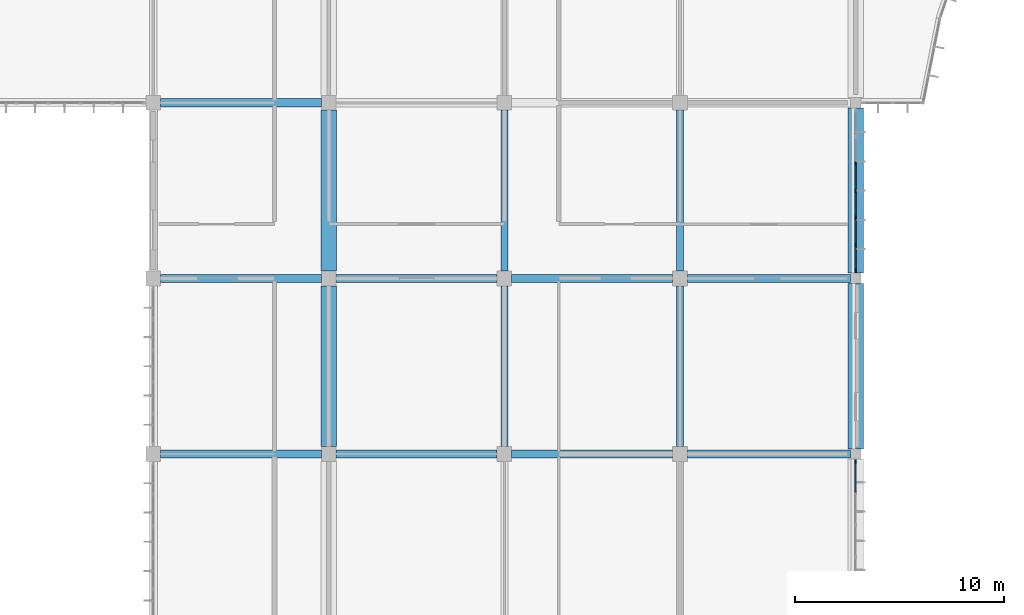
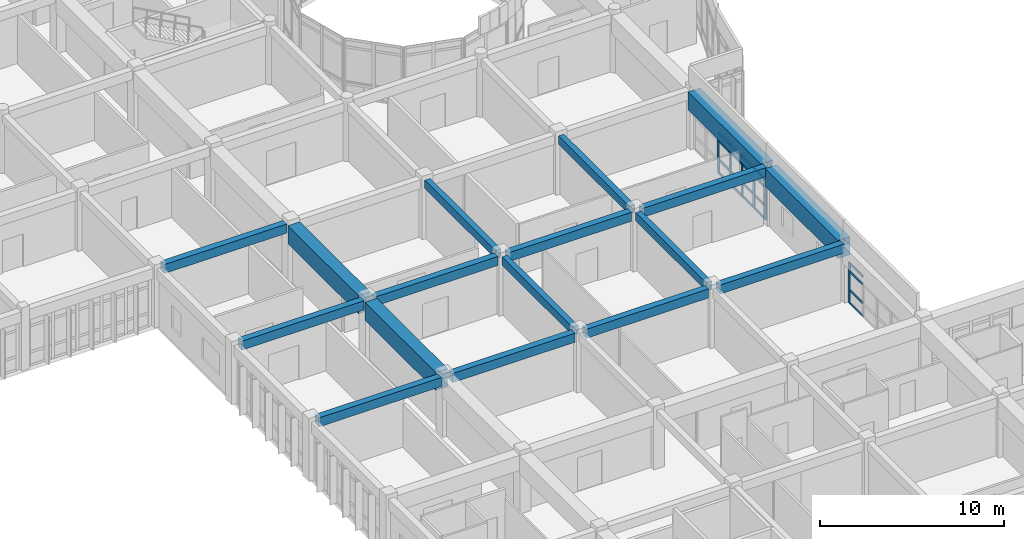
# One storey, part 13 of 119: 26 members, 17 beams, 2 elements without a shape of their own.
"""IFC4 building model written with IfcOpenShell, lengths in metres."""

from ifc_helpers import new_model, si_unit, direction, frame, origin, origin_2d, place, context, subcontext, project, spatial, rectangle, extrude, material, layer, layer_set, material_profile, profile_set, type_object, element, aggregate, save


model = new_model("IFC4")

# Units and contexts
model_context = context("Model", 3, precision=1e-05, world=origin(), true_north=direction((0.0, 1.0)))
body_context = subcontext(model_context, "Body", "Model", "MODEL_VIEW")
ifc_project = project(units=[si_unit("LENGTHUNIT", "METRE"), si_unit("AREAUNIT", "SQUARE_METRE"), si_unit("VOLUMEUNIT", "CUBIC_METRE"), si_unit("PLANEANGLEUNIT", "RADIAN"), si_unit("MASSUNIT", "GRAM", prefix="KILO")], contexts=[model_context])

# Site, building, storey
site_placement = place(None, origin())
site = spatial("IfcSite", under=ifc_project, at=site_placement, CompositionType="ELEMENT")
building_placement = place(site_placement, origin())
building = spatial("IfcBuilding", under=site, at=building_placement, Name="Bramfleet General Hospital", CompositionType="ELEMENT")
storey_placement = place(building_placement, frame((0.0, 0.0, 14.39990234375)))
storey = spatial("IfcBuildingStorey", under=building, at=storey_placement, Name="L03", CompositionType="ELEMENT", Elevation=14.39990234375)

# Beams
ifc_material_1 = material(Name="Concrete C35/45", Category="concrete")
ifc_material_profile_1 = material_profile(ifc_material_1, rectangle(XDim=0.35009765625, YDim=0.550048828125, at=origin_2d()), Name="RC BM 550x350")
ifc_profile_set_1 = profile_set([ifc_material_profile_1], Name="Concrete C35/45")
beam_type_1 = type_object("IfcBeamType", Name="BM-RC550", PredefinedType="BEAM", material=ifc_profile_set_1)
for number, where, z_axis, x_axis, name in (
    (1, (109.199951171875, 33.949951171875, 3.625), (0.0, 1.0, 0.0), (-1.0, 0.0, 0.0), "L03 Grid Beam Y 13-04"),
    (2, (109.199951171875, 42.35009765625, 3.625), (0.0, 1.0, 0.0), (-1.0, 0.0, 0.0), "L03 Grid Beam Y 13-05"),
    (3, (117.60009765625, 33.949951171875, 3.625), (0.0, 1.0, 0.0), (-1.0, 0.0, 0.0), "L03 Grid Beam Y 14-04"),
    (4, (117.60009765625, 42.35009765625, 3.625), (0.0, 1.0, 0.0), (-1.0, 0.0, 0.0), "L03 Grid Beam Y 14-05"),
):
    element("IfcBeam", number, at=place(storey_placement, frame(where, z_axis=z_axis, x_axis=x_axis)), inside=storey, type_object=beam_type_1, Name=name, PredefinedType="BEAM", context=body_context, shape_type="SweptSolid", body=[
        extrude(rectangle(XDim=0.35009765625, YDim=0.550048828125, at=origin_2d()), origin(), (0.0, 0.0, 1.0), 7.699951171875),
    ])
ifc_material_profile_2 = material_profile(ifc_material_1, rectangle(XDim=0.39990234375, YDim=0.60009765625, at=origin_2d()), Name="RC BM 600x400")
ifc_profile_set_2 = profile_set([ifc_material_profile_2], Name="Concrete C35/45")
beam_type_2 = type_object("IfcBeamType", Name="BM-RC600", PredefinedType="BEAM", material=ifc_profile_set_2)
for number, where, z_axis, x_axis, name in (
    (5, (92.75, 33.60009765625, 3.60009765625), (1.0, 0.0, 0.0), (0.0, 1.0, 0.0), "L03 Grid Beam X 11-04"),
    (6, (92.75, 42.0, 3.60009765625), (1.0, 0.0, 0.0), (0.0, 1.0, 0.0), "L03 Grid Beam X 11-05"),
    (7, (92.75, 50.39990234375, 3.60009765625), (1.0, 0.0, 0.0), (0.0, 1.0, 0.0), "L03 Grid Beam X 11-06"),
):
    element("IfcBeam", number, at=place(storey_placement, frame(where, z_axis=z_axis, x_axis=x_axis)), inside=storey, type_object=beam_type_2, Name=name, PredefinedType="BEAM", context=body_context, shape_type="SweptSolid", body=[
        extrude(rectangle(XDim=0.39990234375, YDim=0.60009765625, at=origin_2d()), origin(), (0.0, 0.0, 1.0), 7.699951171875),
    ])
for number, where, z_axis, x_axis, name in (
    (8, (101.14990234375, 33.60009765625, 3.60009765625), (1.0, 0.0, 0.0), (0.0, 1.0, 0.0), "L03 Grid Beam X 12-04"),
    (9, (101.14990234375, 42.0, 3.60009765625), (1.0, 0.0, 0.0), (0.0, 1.0, 0.0), "L03 Grid Beam X 12-05"),
):
    element("IfcBeam", number, at=place(storey_placement, frame(where, z_axis=z_axis, x_axis=x_axis)), inside=storey, type_object=beam_type_2, Name=name, PredefinedType="BEAM", context=body_context, shape_type="SweptSolid", body=[
        extrude(rectangle(XDim=0.39990234375, YDim=0.60009765625, at=origin_2d()), origin(), (0.0, 0.0, 1.0), 7.7001953125),
    ])
for number, where, z_axis, x_axis, name in (
    (10, (109.550048828125, 33.60009765625, 3.60009765625), (1.0, 0.0, 0.0), (0.0, 1.0, 0.0), "L03 Grid Beam X 13-04"),
    (11, (109.550048828125, 42.0, 3.60009765625), (1.0, 0.0, 0.0), (0.0, 1.0, 0.0), "L03 Grid Beam X 13-05"),
):
    element("IfcBeam", number, at=place(storey_placement, frame(where, z_axis=z_axis, x_axis=x_axis)), inside=storey, type_object=beam_type_2, Name=name, PredefinedType="BEAM", context=body_context, shape_type="SweptSolid", body=[
        extrude(rectangle(XDim=0.39990234375, YDim=0.60009765625, at=origin_2d()), origin(), (0.0, 0.0, 1.0), 7.699951171875),
    ])
for number, where, z_axis, x_axis, name in (
    (12, (117.949951171875, 33.60009765625, 3.60009765625), (1.0, 0.0, 0.0), (0.0, 1.0, 0.0), "L03 Grid Beam X 14-04"),
    (13, (117.949951171875, 42.0, 3.60009765625), (1.0, 0.0, 0.0), (0.0, 1.0, 0.0), "L03 Grid Beam X 14-05"),
):
    element("IfcBeam", number, at=place(storey_placement, frame(where, z_axis=z_axis, x_axis=x_axis)), inside=storey, type_object=beam_type_2, Name=name, PredefinedType="BEAM", context=body_context, shape_type="SweptSolid", body=[
        extrude(rectangle(XDim=0.39990234375, YDim=0.60009765625, at=origin_2d()), origin(), (0.0, 0.0, 1.0), 7.800048828125),
    ])
ifc_material_2 = material(Name="Concrete C40/50", Category="concrete")
ifc_material_profile_3 = material_profile(ifc_material_2, rectangle(XDim=0.75, YDim=1.199951171875, at=origin_2d()), Name="RC TG 1200x750")
ifc_profile_set_3 = profile_set([ifc_material_profile_3], Name="Concrete C40/50")
beam_type_3 = type_object("IfcBeamType", Name="BM-TG1200", PredefinedType="BEAM", material=ifc_profile_set_3)
for number, where, z_axis, x_axis, name in (
    (14, (100.800048828125, 33.949951171875, 3.300048828125), (0.0, 1.0, 0.0), (-1.0, 0.0, 0.0), "L03 Transfer Girder Y 12-04"),
    (15, (100.800048828125, 42.35009765625, 3.300048828125), (0.0, 1.0, 0.0), (-1.0, 0.0, 0.0), "L03 Transfer Girder Y 12-05"),
):
    element("IfcBeam", number, at=place(storey_placement, frame(where, z_axis=z_axis, x_axis=x_axis)), inside=storey, type_object=beam_type_3, Name=name, PredefinedType="BEAM", context=body_context, shape_type="SweptSolid", body=[
        extrude(rectangle(XDim=0.75, YDim=1.199951171875, at=origin_2d()), origin(), (0.0, 0.0, 1.0), 7.699951171875),
    ])
for number, where, z_axis, x_axis, name in (
    (16, (126.0, 33.85009765625, 3.300048828125), (0.0, 1.0, 0.0), (-1.0, 0.0, 0.0), "L03 Transfer Girder Y 15-04"),
    (17, (126.0, 42.25, 3.300048828125), (0.0, 1.0, 0.0), (-1.0, 0.0, 0.0), "L03 Transfer Girder Y 15-05"),
):
    element("IfcBeam", number, at=place(storey_placement, frame(where, z_axis=z_axis, x_axis=x_axis)), inside=storey, type_object=beam_type_3, Name=name, PredefinedType="BEAM", context=body_context, shape_type="SweptSolid", body=[
        extrude(rectangle(XDim=0.75, YDim=1.199951171875, at=origin_2d()), origin(), (0.0, 0.0, 1.0), 7.89990234375),
    ])

# Curtain wall, members
ifc_material_3 = material(Name="Anodised aluminium and low-E triple glazing", Category="aluminium")
ifc_layer_1 = layer(ifc_material_3, 0.179931640625, Name="CWT-CW-18")
ifc_layer_set_1 = layer_set([ifc_layer_1], Name="Anodised aluminium and low-E triple glazing")
curtain_wall_type_1 = type_object("IfcCurtainWallType", Name="CWT-CW-18", PredefinedType="USERDEFINED", material=ifc_layer_set_1)
curtain_wall_1_placement = place(storey_placement, origin())
curtain_wall_1 = element("IfcCurtainWall", 18, at=curtain_wall_1_placement, inside=storey, type_object=curtain_wall_type_1, Name="L03 Curtain Wall 162", ObjectType="Stick curtain wall", PredefinedType="USERDEFINED")
ifc_material_4 = material(Name="Structural timber GL28h", Category="wood")
ifc_material_profile_4 = material_profile(ifc_material_4, rectangle(XDim=0.070068359375, YDim=0.18994140625, at=origin_2d()), Name="LARCH 190x70")
ifc_profile_set_4 = profile_set([ifc_material_profile_4], Name="Structural timber GL28h")
member_type_1 = type_object("IfcMemberType", Name="CWM-LARCH450", PredefinedType="MULLION", material=ifc_profile_set_4)
member_1_placement = place(storey_placement, frame((126.0, 47.49169921875, 0.0), z_axis=(0.0, 0.0, 1.0), x_axis=(1.0, 0.0, 0.0)))
member_1 = element("IfcMember", 19, at=member_1_placement, type_object=member_type_1, Name="CW-18 mullion 3", PredefinedType="MULLION", context=body_context, shape_type="SweptSolid", body=[
    extrude(rectangle(XDim=0.070068359375, YDim=0.18994140625, at=origin_2d()), origin(), (0.0, 0.0, 1.0), 2.690185546875),
])
member_2_placement = place(storey_placement, frame((126.0, 46.199951171875, 0.0), z_axis=(0.0, 0.0, 1.0), x_axis=(1.0, 0.0, 0.0)))
member_2 = element("IfcMember", 20, at=member_2_placement, type_object=member_type_1, Name="CW-18 mullion 4", PredefinedType="MULLION", context=body_context, shape_type="SweptSolid", body=[
    extrude(rectangle(XDim=0.070068359375, YDim=0.18994140625, at=origin_2d()), origin(), (0.0, 0.0, 1.0), 2.690185546875),
])
member_3_placement = place(storey_placement, frame((126.0, 44.908447265625, 0.0), z_axis=(0.0, 0.0, 1.0), x_axis=(1.0, 0.0, 0.0)))
member_3 = element("IfcMember", 21, at=member_3_placement, type_object=member_type_1, Name="CW-18 mullion 5", PredefinedType="MULLION", context=body_context, shape_type="SweptSolid", body=[
    extrude(rectangle(XDim=0.070068359375, YDim=0.18994140625, at=origin_2d()), origin(), (0.0, 0.0, 1.0), 2.690185546875),
])
member_4_placement = place(storey_placement, frame((126.0, 43.61669921875, 0.0), z_axis=(0.0, 0.0, 1.0), x_axis=(1.0, 0.0, 0.0)))
member_4 = element("IfcMember", 22, at=member_4_placement, type_object=member_type_1, Name="CW-18 mullion 6", PredefinedType="MULLION", context=body_context, shape_type="SweptSolid", body=[
    extrude(rectangle(XDim=0.070068359375, YDim=0.18994140625, at=origin_2d()), origin(), (0.0, 0.0, 1.0), 2.690185546875),
])
member_5_placement = place(storey_placement, frame((126.0, 42.360107421875, 0.0), z_axis=(0.0, 0.0, 1.0), x_axis=(1.0, 0.0, 0.0)))
member_5 = element("IfcMember", 23, at=member_5_placement, type_object=member_type_1, Name="CW-18 mullion 7", PredefinedType="MULLION", context=body_context, shape_type="SweptSolid", body=[
    extrude(rectangle(XDim=0.070068359375, YDim=0.18994140625, at=origin_2d()), origin(), (0.0, 0.0, 1.0), 2.690185546875),
])

# Curtain wall, member
ifc_layer_2 = layer(ifc_material_3, 0.179931640625, Name="CWT-CW-01")
ifc_layer_set_2 = layer_set([ifc_layer_2], Name="Anodised aluminium and low-E triple glazing")
curtain_wall_type_2 = type_object("IfcCurtainWallType", Name="CWT-CW-01", PredefinedType="USERDEFINED", material=ifc_layer_set_2)
curtain_wall_2_placement = place(storey_placement, origin())
curtain_wall_2 = element("IfcCurtainWall", 24, at=curtain_wall_2_placement, inside=storey, type_object=curtain_wall_type_2, Name="L03 Curtain Wall 163", ObjectType="Unitised curtain wall", PredefinedType="USERDEFINED")
member_6_placement = place(storey_placement, frame((126.0, 33.239990234375, 0.0), z_axis=(0.0, 0.0, 1.0), x_axis=(1.0, 0.0, 0.0)))
member_6 = element("IfcMember", 25, at=member_6_placement, type_object=member_type_1, Name="CW-01 mullion 1", PredefinedType="MULLION", context=body_context, shape_type="SweptSolid", body=[
    extrude(rectangle(XDim=0.070068359375, YDim=0.18994140625, at=origin_2d()), origin(), (0.0, 0.0, 1.0), 2.690185546875),
])

# Member
ifc_material_profile_5 = material_profile(ifc_material_4, rectangle(XDim=0.06494140625, YDim=0.14990234375, at=origin_2d()), Name="LARCH 150x65")
ifc_profile_set_5 = profile_set([ifc_material_profile_5], Name="Structural timber GL28h")
member_type_2 = type_object("IfcMemberType", Name="CWT-LARCH220", PredefinedType="USERDEFINED", material=ifc_profile_set_5)
member_7_placement = place(storey_placement, frame((126.0, 47.456787109375, 0.03271484375), z_axis=(0.0, -1.0, 0.0), x_axis=(1.0, 0.0, 0.0)))
member_7 = element("IfcMember", 26, at=member_7_placement, type_object=member_type_2, Name="CW-18 transom 3.1", ObjectType="TRANSOM", PredefinedType="USERDEFINED", context=body_context, shape_type="SweptSolid", body=[
    extrude(rectangle(XDim=0.06494140625, YDim=0.14990234375, at=origin_2d()), origin(), (0.0, 0.0, 1.0), 1.2216796875),
])

member_8_placement = place(storey_placement, frame((126.0, 47.456787109375, 0.900146484375), z_axis=(0.0, -1.0, 0.0), x_axis=(1.0, 0.0, 0.0)))
member_8 = element("IfcMember", 27, at=member_8_placement, type_object=member_type_2, Name="CW-18 transom 3.2", ObjectType="TRANSOM", PredefinedType="USERDEFINED", context=body_context, shape_type="SweptSolid", body=[
    extrude(rectangle(XDim=0.06494140625, YDim=0.14990234375, at=origin_2d()), origin(), (0.0, 0.0, 1.0), 1.2216796875),
])

member_9_placement = place(storey_placement, frame((126.0, 47.456787109375, 2.14013671875), z_axis=(0.0, -1.0, 0.0), x_axis=(1.0, 0.0, 0.0)))
member_9 = element("IfcMember", 28, at=member_9_placement, type_object=member_type_2, Name="CW-18 transom 3.3", ObjectType="TRANSOM", PredefinedType="USERDEFINED", context=body_context, shape_type="SweptSolid", body=[
    extrude(rectangle(XDim=0.06494140625, YDim=0.14990234375, at=origin_2d()), origin(), (0.0, 0.0, 1.0), 1.2216796875),
])

member_10_placement = place(storey_placement, frame((126.0, 47.456787109375, 2.65771484375), z_axis=(0.0, -1.0, 0.0), x_axis=(1.0, 0.0, 0.0)))
member_10 = element("IfcMember", 29, at=member_10_placement, type_object=member_type_2, Name="CW-18 transom 3.4", ObjectType="TRANSOM", PredefinedType="USERDEFINED", context=body_context, shape_type="SweptSolid", body=[
    extrude(rectangle(XDim=0.06494140625, YDim=0.14990234375, at=origin_2d()), origin(), (0.0, 0.0, 1.0), 1.2216796875),
])

member_11_placement = place(storey_placement, frame((126.0, 46.1650390625, 0.03271484375), z_axis=(0.0, -1.0, 0.0), x_axis=(1.0, 0.0, 0.0)))
member_11 = element("IfcMember", 30, at=member_11_placement, type_object=member_type_2, Name="CW-18 transom 4.1", ObjectType="TRANSOM", PredefinedType="USERDEFINED", context=body_context, shape_type="SweptSolid", body=[
    extrude(rectangle(XDim=0.06494140625, YDim=0.14990234375, at=origin_2d()), origin(), (0.0, 0.0, 1.0), 1.2216796875),
])

member_12_placement = place(storey_placement, frame((126.0, 46.1650390625, 0.900146484375), z_axis=(0.0, -1.0, 0.0), x_axis=(1.0, 0.0, 0.0)))
member_12 = element("IfcMember", 31, at=member_12_placement, type_object=member_type_2, Name="CW-18 transom 4.2", ObjectType="TRANSOM", PredefinedType="USERDEFINED", context=body_context, shape_type="SweptSolid", body=[
    extrude(rectangle(XDim=0.06494140625, YDim=0.14990234375, at=origin_2d()), origin(), (0.0, 0.0, 1.0), 1.2216796875),
])

member_13_placement = place(storey_placement, frame((126.0, 46.1650390625, 2.14013671875), z_axis=(0.0, -1.0, 0.0), x_axis=(1.0, 0.0, 0.0)))
member_13 = element("IfcMember", 32, at=member_13_placement, type_object=member_type_2, Name="CW-18 transom 4.3", ObjectType="TRANSOM", PredefinedType="USERDEFINED", context=body_context, shape_type="SweptSolid", body=[
    extrude(rectangle(XDim=0.06494140625, YDim=0.14990234375, at=origin_2d()), origin(), (0.0, 0.0, 1.0), 1.2216796875),
])

member_14_placement = place(storey_placement, frame((126.0, 46.1650390625, 2.65771484375), z_axis=(0.0, -1.0, 0.0), x_axis=(1.0, 0.0, 0.0)))
member_14 = element("IfcMember", 33, at=member_14_placement, type_object=member_type_2, Name="CW-18 transom 4.4", ObjectType="TRANSOM", PredefinedType="USERDEFINED", context=body_context, shape_type="SweptSolid", body=[
    extrude(rectangle(XDim=0.06494140625, YDim=0.14990234375, at=origin_2d()), origin(), (0.0, 0.0, 1.0), 1.2216796875),
])

member_15_placement = place(storey_placement, frame((126.0, 44.873291015625, 0.03271484375), z_axis=(0.0, -1.0, 0.0), x_axis=(1.0, 0.0, 0.0)))
member_15 = element("IfcMember", 34, at=member_15_placement, type_object=member_type_2, Name="CW-18 transom 5.1", ObjectType="TRANSOM", PredefinedType="USERDEFINED", context=body_context, shape_type="SweptSolid", body=[
    extrude(rectangle(XDim=0.06494140625, YDim=0.14990234375, at=origin_2d()), origin(), (0.0, 0.0, 1.0), 1.2216796875),
])

member_16_placement = place(storey_placement, frame((126.0, 44.873291015625, 0.900146484375), z_axis=(0.0, -1.0, 0.0), x_axis=(1.0, 0.0, 0.0)))
member_16 = element("IfcMember", 35, at=member_16_placement, type_object=member_type_2, Name="CW-18 transom 5.2", ObjectType="TRANSOM", PredefinedType="USERDEFINED", context=body_context, shape_type="SweptSolid", body=[
    extrude(rectangle(XDim=0.06494140625, YDim=0.14990234375, at=origin_2d()), origin(), (0.0, 0.0, 1.0), 1.2216796875),
])

member_17_placement = place(storey_placement, frame((126.0, 44.873291015625, 2.14013671875), z_axis=(0.0, -1.0, 0.0), x_axis=(1.0, 0.0, 0.0)))
member_17 = element("IfcMember", 36, at=member_17_placement, type_object=member_type_2, Name="CW-18 transom 5.3", ObjectType="TRANSOM", PredefinedType="USERDEFINED", context=body_context, shape_type="SweptSolid", body=[
    extrude(rectangle(XDim=0.06494140625, YDim=0.14990234375, at=origin_2d()), origin(), (0.0, 0.0, 1.0), 1.2216796875),
])

member_18_placement = place(storey_placement, frame((126.0, 44.873291015625, 2.65771484375), z_axis=(0.0, -1.0, 0.0), x_axis=(1.0, 0.0, 0.0)))
member_18 = element("IfcMember", 37, at=member_18_placement, type_object=member_type_2, Name="CW-18 transom 5.4", ObjectType="TRANSOM", PredefinedType="USERDEFINED", context=body_context, shape_type="SweptSolid", body=[
    extrude(rectangle(XDim=0.06494140625, YDim=0.14990234375, at=origin_2d()), origin(), (0.0, 0.0, 1.0), 1.2216796875),
])

member_19_placement = place(storey_placement, frame((126.0, 43.581787109375, 0.03271484375), z_axis=(0.0, -1.0, 0.0), x_axis=(1.0, 0.0, 0.0)))
member_19 = element("IfcMember", 38, at=member_19_placement, type_object=member_type_2, Name="CW-18 transom 6.1", ObjectType="TRANSOM", PredefinedType="USERDEFINED", context=body_context, shape_type="SweptSolid", body=[
    extrude(rectangle(XDim=0.06494140625, YDim=0.14990234375, at=origin_2d()), origin(), (0.0, 0.0, 1.0), 1.186767578125),
])

member_20_placement = place(storey_placement, frame((126.0, 43.581787109375, 0.900146484375), z_axis=(0.0, -1.0, 0.0), x_axis=(1.0, 0.0, 0.0)))
member_20 = element("IfcMember", 39, at=member_20_placement, type_object=member_type_2, Name="CW-18 transom 6.2", ObjectType="TRANSOM", PredefinedType="USERDEFINED", context=body_context, shape_type="SweptSolid", body=[
    extrude(rectangle(XDim=0.06494140625, YDim=0.14990234375, at=origin_2d()), origin(), (0.0, 0.0, 1.0), 1.186767578125),
])

member_21_placement = place(storey_placement, frame((126.0, 43.581787109375, 2.14013671875), z_axis=(0.0, -1.0, 0.0), x_axis=(1.0, 0.0, 0.0)))
member_21 = element("IfcMember", 40, at=member_21_placement, type_object=member_type_2, Name="CW-18 transom 6.3", ObjectType="TRANSOM", PredefinedType="USERDEFINED", context=body_context, shape_type="SweptSolid", body=[
    extrude(rectangle(XDim=0.06494140625, YDim=0.14990234375, at=origin_2d()), origin(), (0.0, 0.0, 1.0), 1.186767578125),
])

member_22_placement = place(storey_placement, frame((126.0, 43.581787109375, 2.65771484375), z_axis=(0.0, -1.0, 0.0), x_axis=(1.0, 0.0, 0.0)))
member_22 = element("IfcMember", 41, at=member_22_placement, type_object=member_type_2, Name="CW-18 transom 6.4", ObjectType="TRANSOM", PredefinedType="USERDEFINED", context=body_context, shape_type="SweptSolid", body=[
    extrude(rectangle(XDim=0.06494140625, YDim=0.14990234375, at=origin_2d()), origin(), (0.0, 0.0, 1.0), 1.186767578125),
])

aggregate(curtain_wall_1, [member_1, member_2, member_3, member_4, member_5, member_7, member_8, member_9, member_10, member_11, member_12, member_13, member_14, member_15, member_16, member_17, member_18, member_19, member_20, member_21, member_22])

member_23_placement = place(storey_placement, frame((126.0, 33.205078125, 0.03271484375), z_axis=(0.0, -1.0, 0.0), x_axis=(1.0, 0.0, 0.0)))
member_23 = element("IfcMember", 42, at=member_23_placement, type_object=member_type_2, Name="CW-01 transom 1.1", ObjectType="TRANSOM", PredefinedType="USERDEFINED", context=body_context, shape_type="SweptSolid", body=[
    extrude(rectangle(XDim=0.06494140625, YDim=0.14990234375, at=origin_2d()), origin(), (0.0, 0.0, 1.0), 1.425048828125),
])

member_24_placement = place(storey_placement, frame((126.0, 33.205078125, 0.900146484375), z_axis=(0.0, -1.0, 0.0), x_axis=(1.0, 0.0, 0.0)))
member_24 = element("IfcMember", 43, at=member_24_placement, type_object=member_type_2, Name="CW-01 transom 1.2", ObjectType="TRANSOM", PredefinedType="USERDEFINED", context=body_context, shape_type="SweptSolid", body=[
    extrude(rectangle(XDim=0.06494140625, YDim=0.14990234375, at=origin_2d()), origin(), (0.0, 0.0, 1.0), 1.425048828125),
])

member_25_placement = place(storey_placement, frame((126.0, 33.205078125, 2.14013671875), z_axis=(0.0, -1.0, 0.0), x_axis=(1.0, 0.0, 0.0)))
member_25 = element("IfcMember", 44, at=member_25_placement, type_object=member_type_2, Name="CW-01 transom 1.3", ObjectType="TRANSOM", PredefinedType="USERDEFINED", context=body_context, shape_type="SweptSolid", body=[
    extrude(rectangle(XDim=0.06494140625, YDim=0.14990234375, at=origin_2d()), origin(), (0.0, 0.0, 1.0), 1.425048828125),
])

member_26_placement = place(storey_placement, frame((126.0, 33.205078125, 2.65771484375), z_axis=(0.0, -1.0, 0.0), x_axis=(1.0, 0.0, 0.0)))
member_26 = element("IfcMember", 45, at=member_26_placement, type_object=member_type_2, Name="CW-01 transom 1.4", ObjectType="TRANSOM", PredefinedType="USERDEFINED", context=body_context, shape_type="SweptSolid", body=[
    extrude(rectangle(XDim=0.06494140625, YDim=0.14990234375, at=origin_2d()), origin(), (0.0, 0.0, 1.0), 1.425048828125),
])

aggregate(curtain_wall_2, [member_6, member_23, member_24, member_25, member_26])

save(model, "model.ifc")
